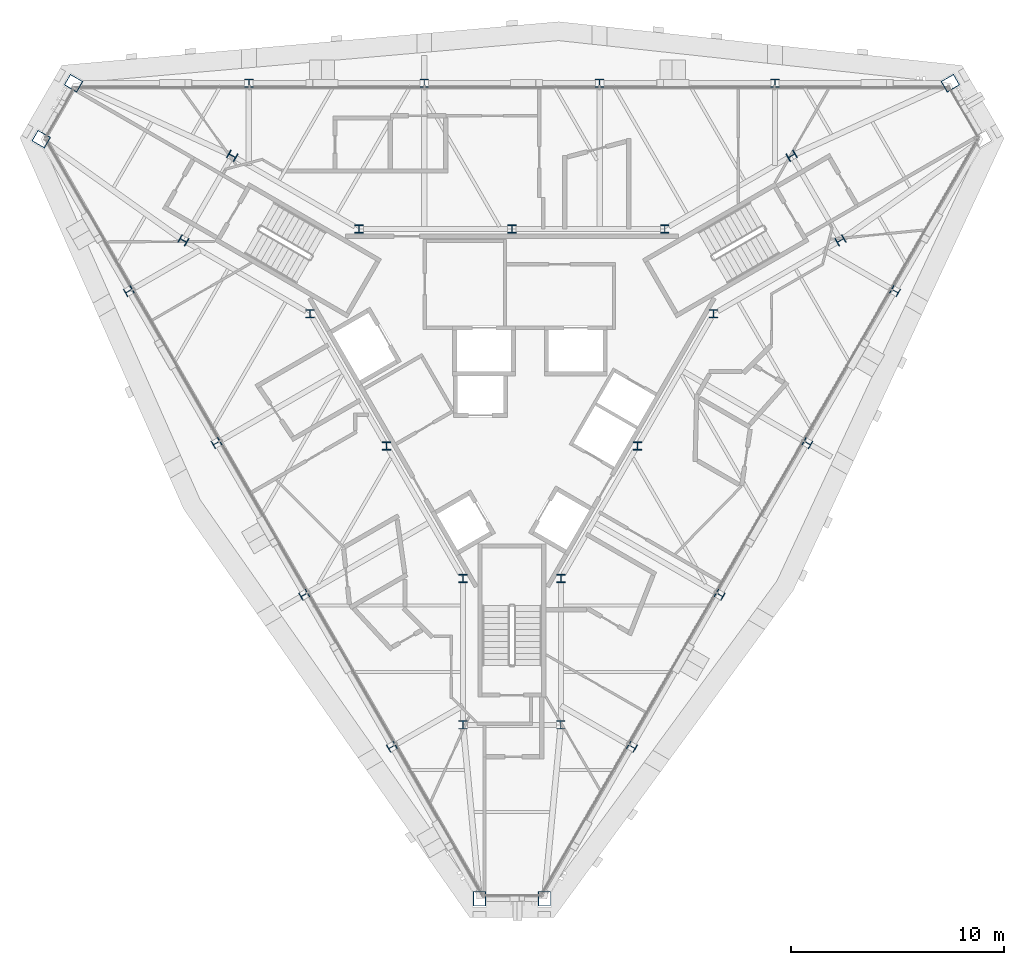
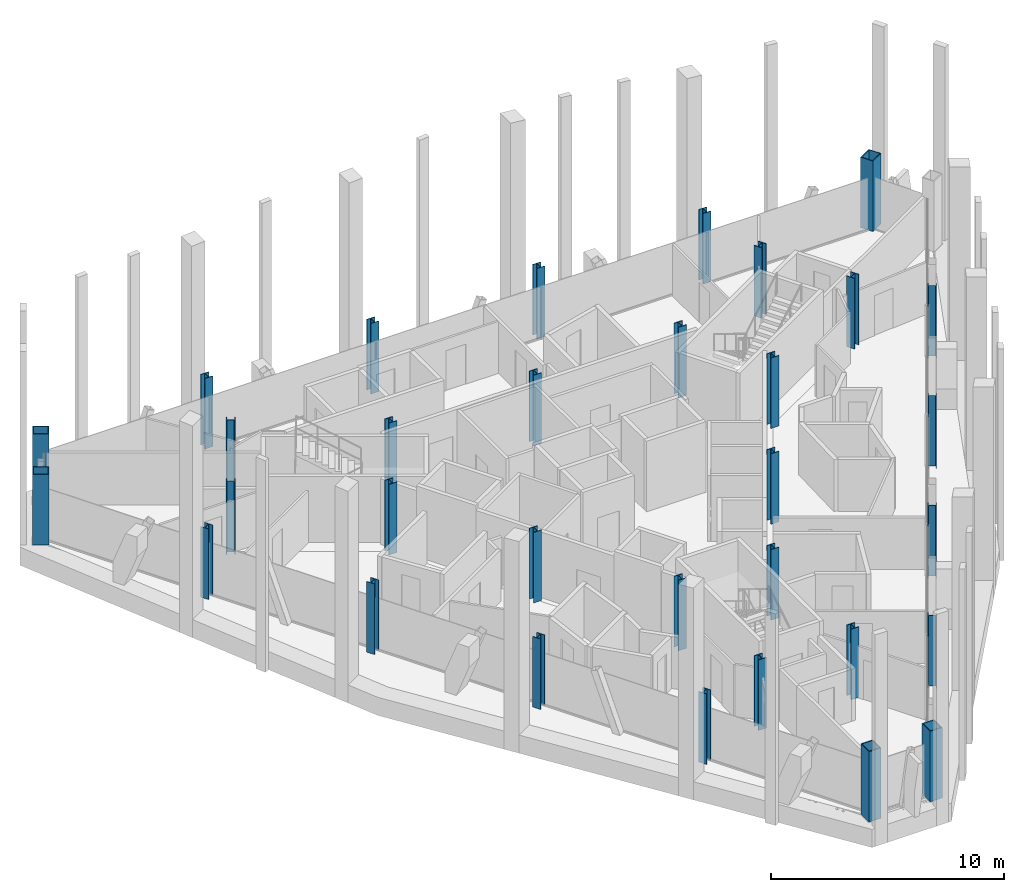
# One storey, part 1 of 13: 32 columns.
"""IFC4 building model written with IfcOpenShell, lengths in metres."""

from ifc_helpers import new_model, si_unit, direction, frame, origin, origin_2d, place, context, subcontext, project, spatial, hollow_rectangle, i_section, extrude, material, material_profile, profile_set, type_object, element, save


model = new_model("IFC4")

# Units and contexts
model_context = context("Model", 3, precision=1e-05, world=origin(), true_north=direction((0.0, 1.0)))
body_context = subcontext(model_context, "Body", "Model", "MODEL_VIEW")
ifc_project = project(units=[si_unit("LENGTHUNIT", "METRE"), si_unit("AREAUNIT", "SQUARE_METRE"), si_unit("VOLUMEUNIT", "CUBIC_METRE"), si_unit("PLANEANGLEUNIT", "RADIAN"), si_unit("MASSUNIT", "GRAM", prefix="KILO")], contexts=[model_context])

# Site, building, storey
site_placement = place(None, origin())
site = spatial("IfcSite", under=ifc_project, at=site_placement, CompositionType="ELEMENT")
building_placement = place(site_placement, origin())
building = spatial("IfcBuilding", under=site, at=building_placement, Name="Verrane Prism Tower", CompositionType="ELEMENT")
storey_placement = place(building_placement, frame((0.0, 0.0, 275.10009765625)))
storey = spatial("IfcBuildingStorey", under=building, at=storey_placement, Name="L69", CompositionType="ELEMENT", Elevation=275.10009765625)

# Columns
ifc_material_1 = material(Name="Steel A992", Category="steel")
ifc_material_profile_1 = material_profile(ifc_material_1, i_section(OverallWidth=0.4013671875, OverallDepth=0.398681640625, WebThickness=0.02490234375, FlangeThickness=0.03955078125, FilletRadius=0.01513671875, at=origin_2d()), Name="W14x211")
ifc_profile_set_1 = profile_set([ifc_material_profile_1], Name="Steel A992")
column_type_1 = type_object("IfcColumnType", Name="Core corner column W14x211", PredefinedType="COLUMN", material=ifc_profile_set_1)
for number, where, z_axis, x_axis, name in (
    (1, (15.43994140625, 6.260009765625, 0.0), (0.0, 0.0, 1.0), (0.5, -0.866025403784, 0.0), "Core corner column CK-NEm L69"),
    (2, (13.139892578125, 10.239990234375, 0.0), (0.0, 0.0, 1.0), (0.5, -0.866025403784, 0.0), "Core corner column CK-NEp L69"),
    (3, (-13.139892578125, 10.239990234375, 0.0), (0.0, 0.0, 1.0), (0.5, 0.866025403784, 0.0), "Core corner column CK-NWm L69"),
    (4, (-15.43994140625, 6.260009765625, 0.0), (0.0, 0.0, 1.0), (0.5, 0.866025403784, 0.0), "Core corner column CK-NWp L69"),
    (5, (-2.300048828125, -16.5, 0.0), (0.0, 0.0, 1.0), (-1.0, 0.0, 0.0), "Core corner column CK-Sm L69"),
    (6, (2.300048828125, -16.5, 0.0), (0.0, 0.0, 1.0), (-1.0, 0.0, 0.0), "Core corner column CK-Sp L69"),
):
    element("IfcColumn", number, at=place(storey_placement, frame(where, z_axis=z_axis, x_axis=x_axis)), inside=storey, type_object=column_type_1, Name=name, PredefinedType="COLUMN", context=body_context, shape_type="SweptSolid", body=[
        extrude(i_section(OverallWidth=0.4013671875, OverallDepth=0.398681640625, WebThickness=0.02490234375, FlangeThickness=0.03955078125, FilletRadius=0.01513671875, at=origin_2d()), origin(), (0.0, 0.0, 1.0), 3.699951171875),
    ])
ifc_material_2 = material(Name="Steel A992", Category="steel")
ifc_material_profile_2 = material_profile(ifc_material_2, i_section(OverallWidth=0.398681640625, OverallDepth=0.385986328125, WebThickness=0.02099609375, FlangeThickness=0.033203125, FilletRadius=0.01513671875, at=origin_2d()), Name="W14x176")
ifc_profile_set_2 = profile_set([ifc_material_profile_2], Name="Steel A992")
column_type_2 = type_object("IfcColumnType", Name="Core side column W14x176", PredefinedType="COLUMN", material=ifc_profile_set_2)
for number, where, z_axis, x_axis, name in (
    (7, (9.47998046875, 2.820068359375, 0.0), (0.0, 0.0, 1.0), (1.0, 0.0, 0.0), "Core side column CC-NEm L69"),
    (8, (7.179931640625, 6.800048828125, 0.0), (0.0, 0.0, 1.0), (1.0, 0.0, 0.0), "Core side column CC-NEp L69"),
    (9, (0.0, 6.800048828125, 0.0), (0.0, 0.0, 1.0), (1.0, 0.0, 0.0), "Core side column CC-N0 L69"),
    (10, (-7.179931640625, 6.800048828125, 0.0), (0.0, 0.0, 1.0), (1.0, 0.0, 0.0), "Core side column CC-NWm L69"),
    (11, (-9.47998046875, 2.820068359375, 0.0), (0.0, 0.0, 1.0), (1.0, 0.0, 0.0), "Core side column CC-NWp L69"),
    (12, (-5.889892578125, -3.39990234375, 0.0), (0.0, 0.0, 1.0), (1.0, 0.0, 0.0), "Core side column CC-SW0 L69"),
    (13, (-2.300048828125, -9.6201171875, 0.0), (0.0, 0.0, 1.0), (1.0, 0.0, 0.0), "Core side column CC-Sm L69"),
    (14, (2.300048828125, -9.6201171875, 0.0), (0.0, 0.0, 1.0), (1.0, 0.0, 0.0), "Core side column CC-Sp L69"),
    (15, (5.889892578125, -3.39990234375, 0.0), (0.0, 0.0, 1.0), (1.0, 0.0, 0.0), "Core side column CC-SE0 L69"),
):
    element("IfcColumn", number, at=place(storey_placement, frame(where, z_axis=z_axis, x_axis=x_axis)), inside=storey, type_object=column_type_2, Name=name, PredefinedType="COLUMN", context=body_context, shape_type="SweptSolid", body=[
        extrude(i_section(OverallWidth=0.398681640625, OverallDepth=0.385986328125, WebThickness=0.02099609375, FlangeThickness=0.033203125, FilletRadius=0.01513671875, at=origin_2d()), origin(), (0.0, 0.0, 1.0), 3.699951171875),
    ])
ifc_material_3 = material(Name="Steel A572 Grade 50", Category="steel")
ifc_material_profile_3 = material_profile(ifc_material_3, hollow_rectangle(XDim=0.60009765625, YDim=0.699951171875, WallThickness=0.0400390625, at=origin_2d()), Name="BOX 700x600x40")
ifc_profile_set_3 = profile_set([ifc_material_profile_3], Name="Steel A572 Grade 50")
column_type_3 = type_object("IfcColumnType", Name="Megacolumn BOX 700x600x40", PredefinedType="COLUMN", material=ifc_profile_set_3)
for number, where, z_axis, x_axis, name in (
    (16, (20.60009765625, 13.64990234375, 0.0), (0.0, 0.0, 1.0), (0.5, -0.866025403784, 0.0), "Megacolumn MC-NE.b L69"),
    (17, (-20.60009765625, 13.64990234375, 0.0), (0.0, 0.0, 1.0), (0.5, 0.866025403784, 0.0), "Megacolumn MC-NW.a L69"),
    (18, (-22.1201171875, 11.02001953125, 0.0), (0.0, 0.0, 1.0), (0.5, 0.866025403784, 0.0), "Megacolumn MC-NW.b L69"),
    (19, (-1.52001953125, -24.669921875, 0.0), (0.0, 0.0, 1.0), (-1.0, 0.0, 0.0), "Megacolumn MC-S.a L69"),
    (20, (1.52001953125, -24.669921875, 0.0), (0.0, 0.0, 1.0), (-1.0, 0.0, 0.0), "Megacolumn MC-S.b L69"),
):
    element("IfcColumn", number, at=place(storey_placement, frame(where, z_axis=z_axis, x_axis=x_axis)), inside=storey, type_object=column_type_3, Name=name, PredefinedType="COLUMN", context=body_context, shape_type="SweptSolid", body=[
        extrude(hollow_rectangle(XDim=0.60009765625, YDim=0.699951171875, WallThickness=0.0400390625, at=origin_2d()), origin(), (0.0, 0.0, 1.0), 3.699951171875),
    ])
ifc_material_4 = material(Name="Steel A992", Category="steel")
ifc_material_profile_4 = material_profile(ifc_material_4, i_section(OverallWidth=0.393798828125, OverallDepth=0.3759765625, WebThickness=0.017333984375, FlangeThickness=0.027587890625, FilletRadius=0.01513671875, at=origin_2d()), Name="W14x145")
ifc_profile_set_4 = profile_set([ifc_material_profile_4], Name="Steel A992")
column_type_4 = type_object("IfcColumnType", Name="Perimeter column W14x145", PredefinedType="COLUMN", material=ifc_profile_set_4)
for number, where, z_axis, x_axis, name in (
    (21, (12.360107421875, 13.64990234375, 0.0), (0.0, 0.0, 1.0), (1.0, 0.0, 0.0), "Perimeter column PC-N1 L69"),
    (22, (4.1201171875, 13.64990234375, 0.0), (0.0, 0.0, 1.0), (1.0, 0.0, 0.0), "Perimeter column PC-N2 L69"),
    (23, (-4.1201171875, 13.64990234375, 0.0), (0.0, 0.0, 1.0), (1.0, 0.0, 0.0), "Perimeter column PC-N3 L69"),
    (24, (-12.360107421875, 13.64990234375, 0.0), (0.0, 0.0, 1.0), (1.0, 0.0, 0.0), "Perimeter column PC-N4 L69"),
    (25, (-18.0, 3.8798828125, 0.0), (0.0, 0.0, 1.0), (-0.5, 0.866025403784, 0.0), "Perimeter column PC-SW1 L69"),
    (26, (-13.8798828125, -3.260009765625, 0.0), (0.0, 0.0, 1.0), (-0.5, 0.866025403784, 0.0), "Perimeter column PC-SW2 L69"),
    (27, (-9.760009765625, -10.389892578125, 0.0), (0.0, 0.0, 1.0), (-0.5, 0.866025403784, 0.0), "Perimeter column PC-SW3 L69"),
    (28, (-5.639892578125, -17.530029296875, 0.0), (0.0, 0.0, 1.0), (-0.5, 0.866025403784, 0.0), "Perimeter column PC-SW4 L69"),
    (29, (5.639892578125, -17.530029296875, 0.0), (0.0, 0.0, 1.0), (-0.5, -0.866025403784, 0.0), "Perimeter column PC-SE1 L69"),
    (30, (9.760009765625, -10.389892578125, 0.0), (0.0, 0.0, 1.0), (-0.5, -0.866025403784, 0.0), "Perimeter column PC-SE2 L69"),
    (31, (13.8798828125, -3.260009765625, 0.0), (0.0, 0.0, 1.0), (-0.5, -0.866025403784, 0.0), "Perimeter column PC-SE3 L69"),
    (32, (18.0, 3.8798828125, 0.0), (0.0, 0.0, 1.0), (-0.5, -0.866025403784, 0.0), "Perimeter column PC-SE4 L69"),
):
    element("IfcColumn", number, at=place(storey_placement, frame(where, z_axis=z_axis, x_axis=x_axis)), inside=storey, type_object=column_type_4, Name=name, PredefinedType="COLUMN", context=body_context, shape_type="SweptSolid", body=[
        extrude(i_section(OverallWidth=0.393798828125, OverallDepth=0.3759765625, WebThickness=0.017333984375, FlangeThickness=0.027587890625, FilletRadius=0.01513671875, at=origin_2d()), origin(), (0.0, 0.0, 1.0), 3.699951171875),
    ])

save(model, "model.ifc")
